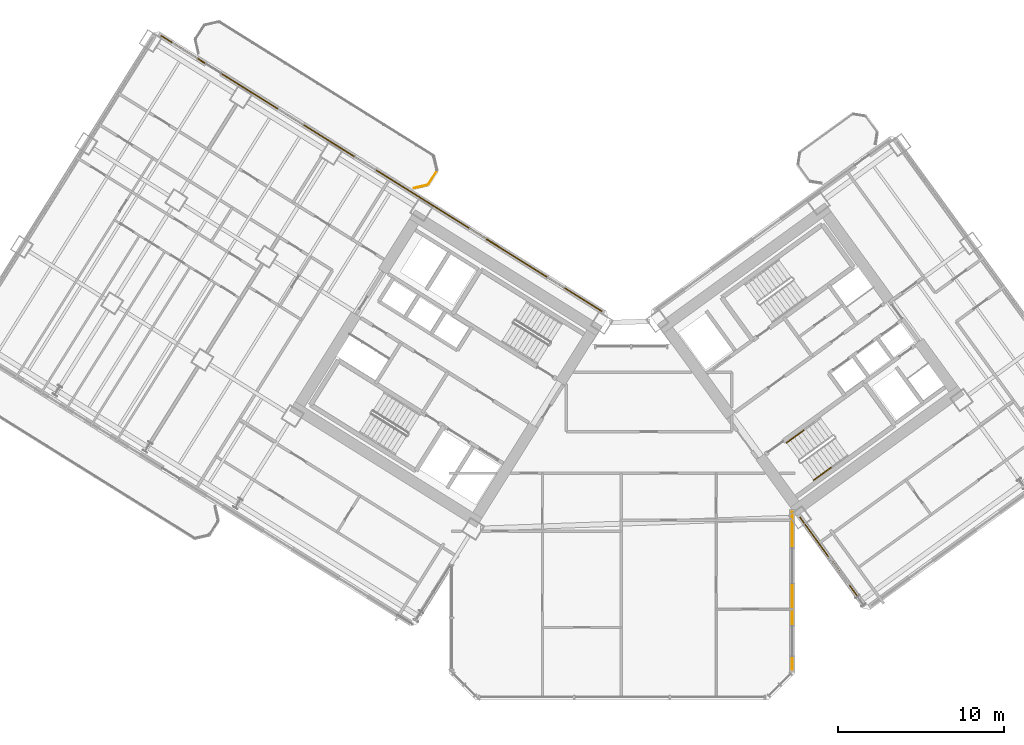
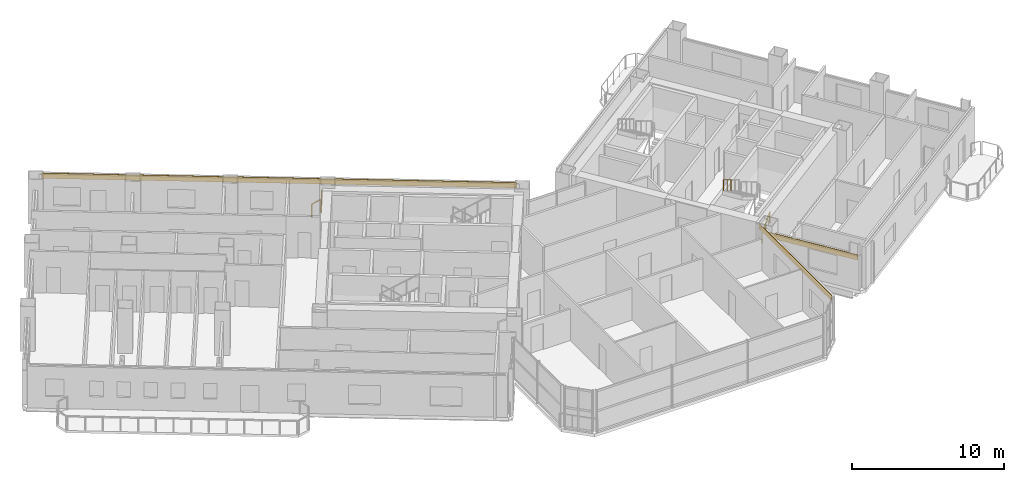
# One storey, part 25 of 28: 4 railings, 3 coverings.
"""IFC4 building model written with IfcOpenShell, lengths in metres."""

from ifc_helpers import new_model, si_unit, direction, frame, origin, origin_2d, place, context, subcontext, project, spatial, rectangle, extrude, source, transform, mapped, material, layer, layer_set, type_object, element, save


model = new_model("IFC4")

# Units and contexts
model_context = context("Model", 3, precision=1e-05, world=origin(), true_north=direction((0.0, 1.0)))
body_context = subcontext(model_context, "Body", "Model", "MODEL_VIEW")
ifc_project = project(units=[si_unit("LENGTHUNIT", "METRE"), si_unit("AREAUNIT", "SQUARE_METRE"), si_unit("VOLUMEUNIT", "CUBIC_METRE"), si_unit("PLANEANGLEUNIT", "RADIAN"), si_unit("MASSUNIT", "GRAM", prefix="KILO")], contexts=[model_context])

# Site, building, storey
site_placement = place(None, origin())
site = spatial("IfcSite", under=ifc_project, at=site_placement, CompositionType="ELEMENT")
building_placement = place(site_placement, origin())
building = spatial("IfcBuilding", under=site, at=building_placement, Name="Tlacorven Tower", CompositionType="ELEMENT")
storey_placement = place(building_placement, frame((0.0, 0.0, 27.60009765625)))
storey = spatial("IfcBuildingStorey", under=building, at=storey_placement, Name="L06", CompositionType="ELEMENT", Elevation=27.60009765625)

# Railings
ifc_material_1 = material(Name="Aluminium and painted steel balustrade", Category="steel")
railing_type_1 = type_object("IfcRailingType", Name="RL-BAL-1100", PredefinedType="BALUSTRADE", material=ifc_material_1)
shared_shape_1 = source(origin(), body_context, "Body", "SweptSolid", [
    extrude(rectangle(XDim=0.048095703125, YDim=0.048095703125, at=origin_2d()), frame((0.0, 0.0, 1.076171875), z_axis=(-0.52987865805, -0.848073468364, 0.0), x_axis=(0.848073468364, -0.52987865805, 0.0)), (0.0, 0.0, 1.0), 0.912353515625),
    extrude(rectangle(XDim=0.0419921875, YDim=0.0419921875, at=origin_2d()), origin(), (0.0, 0.0, 1.0), 1.052001953125),
    extrude(rectangle(XDim=0.0419921875, YDim=0.0419921875, at=origin_2d()), frame((-0.4833984375, -0.773681640625, 0.0)), (0.0, 0.0, 1.0), 1.052001953125),
])
railing_1_placement = place(storey_placement, frame((30.845947265625, 33.588623046875, 0.0)))
element("IfcRailing", 1, at=railing_1_placement, inside=storey, type_object=railing_type_1, Name="BAL-L06-W-IN Guard Railing 2", PredefinedType="BALUSTRADE", context=body_context, shape_type="MappedRepresentation", body=[
    mapped(shared_shape_1, transform((0.0, 0.0, 0.0), scale=1.0)),
])
shared_shape_2 = source(origin(), body_context, "Body", "SweptSolid", [
    extrude(rectangle(XDim=0.048095703125, YDim=0.048095703125, at=origin_2d()), frame((0.0, 0.0, 1.076171875), z_axis=(-0.974345290916, -0.225058334816, 0.0), x_axis=(0.225058334816, -0.974345290916, 0.0)), (0.0, 0.0, 1.0), 0.80712890625),
    extrude(rectangle(XDim=0.0419921875, YDim=0.0419921875, at=origin_2d()), origin(), (0.0, 0.0, 1.0), 1.052001953125),
    extrude(rectangle(XDim=0.0419921875, YDim=0.0419921875, at=origin_2d()), frame((-0.786376953125, -0.181640625, 0.0)), (0.0, 0.0, 1.0), 1.052001953125),
])
railing_2_placement = place(storey_placement, frame((30.287353515625, 32.761474609375, 0.0)))
element("IfcRailing", 2, at=railing_2_placement, inside=storey, type_object=railing_type_1, Name="BAL-L06-W-IN Guard Railing 3", PredefinedType="BALUSTRADE", context=body_context, shape_type="MappedRepresentation", body=[
    mapped(shared_shape_2, transform((0.0, 0.0, 0.0), scale=1.0)),
])

# Coverings
ifc_material_2 = material(Name="Precast concrete C45/55", Category="concrete")
ifc_layer = layer(ifc_material_2, 0.06005859375)
ifc_layer_set = layer_set([ifc_layer], Name="Precast concrete C45/55")
covering_type = type_object("IfcCoveringType", Name="CV-CLD-TERC", PredefinedType="CLADDING", material=ifc_layer_set)
shared_shape_3 = source(origin(), body_context, "Body", "SweptSolid", [
    extrude(rectangle(XDim=31.287353515625, YDim=0.06005859375, at=origin_2d()), origin(), (0.0, 0.0, 1.0), 0.419921875),
])
covering_1_placement = place(storey_placement, frame((27.5322265625, 33.455810546875, 2.929931640625), z_axis=(0.0, 0.0, 1.0), x_axis=(0.84804812172, -0.529919223323, 0.0)))
element("IfcCovering", 3, at=covering_1_placement, inside=storey, type_object=covering_type, Name="L06 Masonry-Frame Spandrel Cladding 3", PredefinedType="CLADDING", context=body_context, shape_type="MappedRepresentation", body=[
    mapped(shared_shape_3, transform((0.0, 0.0, 0.0), scale=1.0)),
])
shared_shape_4 = source(origin(), body_context, "Body", "SweptSolid", [
    extrude(rectangle(XDim=6.4736328125, YDim=0.06005859375, at=origin_2d()), origin(), (0.0, 0.0, 1.0), 0.419921875),
])
covering_2_placement = place(storey_placement, frame((54.59033203125, 10.178955078125, 2.304931640625), z_axis=(0.0, 0.0, 1.0), x_axis=(-0.587785622053, 0.809016725728, 0.0)))
element("IfcCovering", 4, at=covering_2_placement, inside=storey, type_object=covering_type, Name="L06 Masonry-Frame Spandrel Cladding 7", PredefinedType="CLADDING", context=body_context, shape_type="MappedRepresentation", body=[
    mapped(shared_shape_4, transform((0.0, 0.0, 0.0), scale=1.0)),
])
shared_shape_5 = source(origin(), body_context, "Body", "SweptSolid", [
    extrude(rectangle(XDim=9.49462890625, YDim=0.06005859375, at=origin_2d()), origin(), (0.0, 0.0, 1.0), 0.419921875),
])
covering_3_placement = place(storey_placement, frame((52.239990234375, 8.363525390625, 2.929931640625), z_axis=(0.0, 0.0, 1.0), x_axis=(0.0, -1.0, 0.0)))
element("IfcCovering", 5, at=covering_3_placement, inside=storey, type_object=covering_type, Name="L06 Masonry-Frame Spandrel Cladding 8", PredefinedType="CLADDING", context=body_context, shape_type="MappedRepresentation", body=[
    mapped(shared_shape_5, transform((0.0, 0.0, 0.0), scale=1.0)),
])

# Railings
railing_type_2 = type_object("IfcRailingType", Name="RL-HND-0900", PredefinedType="HANDRAIL", material=ifc_material_1)
shared_shape_6 = source(origin(), body_context, "Body", "SweptSolid", [
    extrude(rectangle(XDim=0.048095703125, YDim=0.048095703125, at=origin_2d()), frame((0.0, 0.0, 0.8759765625), z_axis=(-0.680461216233, -0.494495647917, 0.540783309093), x_axis=(0.587872112667, -0.808953879494, 0.0)), (0.0, 0.0, 1.0), 1.498046875),
    extrude(rectangle(XDim=0.0419921875, YDim=0.0419921875, at=origin_2d()), origin(), (0.0, 0.0, 1.0), 0.851806640625),
    extrude(rectangle(XDim=0.0419921875, YDim=0.0419921875, at=origin_2d()), frame((-0.509765625, -0.370361328125, 0.405029296875)), (0.0, 0.0, 1.0), 0.851806640625),
    extrude(rectangle(XDim=0.0419921875, YDim=0.0419921875, at=origin_2d()), frame((-1.019287109375, -0.74072265625, 0.81005859375)), (0.0, 0.0, 1.0), 0.851806640625),
])
railing_3_placement = place(storey_placement, frame((52.9189453125, 18.0087890625, 2.789794921875)))
element("IfcRailing", 6, at=railing_3_placement, inside=storey, type_object=railing_type_2, Name="L06 ST-E2 stair handrail 4", PredefinedType="HANDRAIL", context=body_context, shape_type="MappedRepresentation", body=[
    mapped(shared_shape_6, transform((0.0, 0.0, 0.0), scale=1.0)),
])
shared_shape_7 = source(origin(), body_context, "Body", "SweptSolid", [
    extrude(rectangle(XDim=0.048095703125, YDim=0.048095703125, at=origin_2d()), frame((0.0, 0.0, 0.8759765625), z_axis=(0.680461216233, 0.494495647917, 0.540783309093), x_axis=(-0.587872112667, 0.808953879494, 0.0)), (0.0, 0.0, 1.0), 1.498046875),
    extrude(rectangle(XDim=0.0419921875, YDim=0.0419921875, at=origin_2d()), origin(), (0.0, 0.0, 1.0), 0.851806640625),
    extrude(rectangle(XDim=0.0419921875, YDim=0.0419921875, at=origin_2d()), frame((0.509765625, 0.370361328125, 0.405029296875)), (0.0, 0.0, 1.0), 0.851806640625),
    extrude(rectangle(XDim=0.0419921875, YDim=0.0419921875, at=origin_2d()), frame((1.019287109375, 0.74072265625, 0.81005859375)), (0.0, 0.0, 1.0), 0.851806640625),
])
railing_4_placement = place(storey_placement, frame((53.53369140625, 15.01904296875, 0.179931640625)))
element("IfcRailing", 7, at=railing_4_placement, inside=storey, type_object=railing_type_2, Name="L06 ST-E2 stair handrail 1", PredefinedType="HANDRAIL", context=body_context, shape_type="MappedRepresentation", body=[
    mapped(shared_shape_7, transform((0.0, 0.0, 0.0), scale=1.0)),
])

save(model, "model.ifc")
